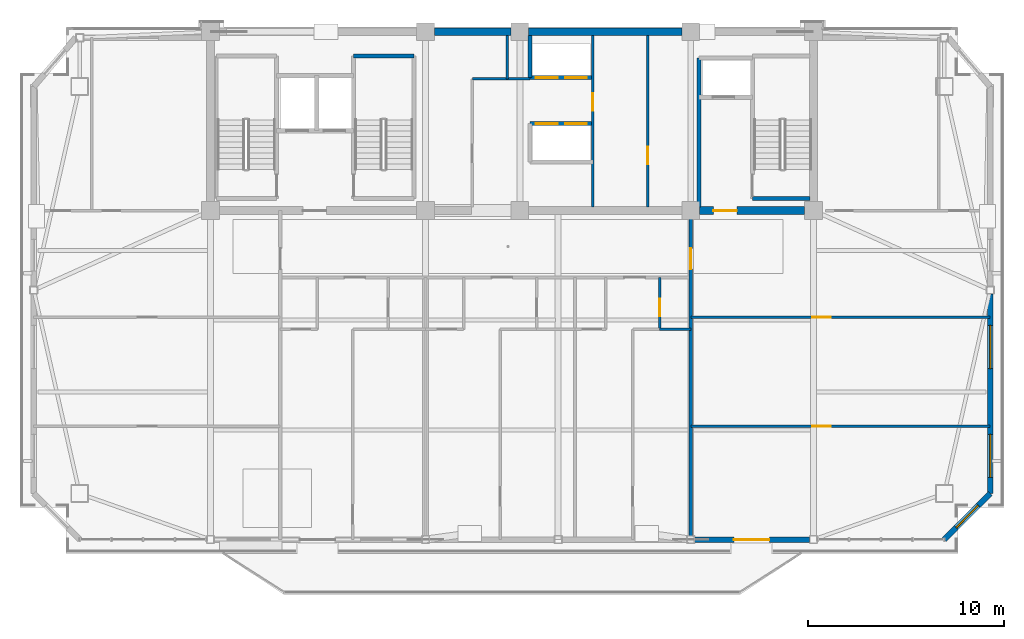
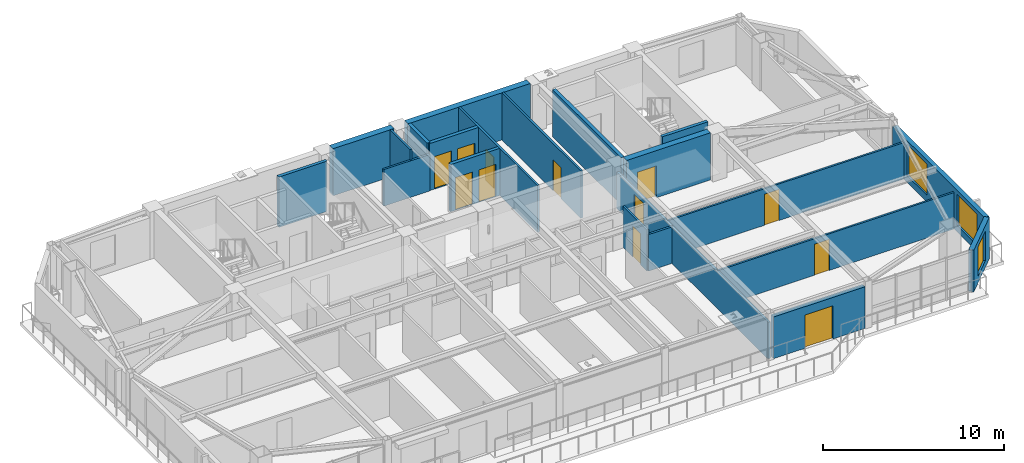
# One storey, part 8 of 14: 21 walls, 12 doors, 3 windows, 15 openings.
"""IFC4 building model written with IfcOpenShell, lengths in metres."""

from ifc_helpers import new_model, si_unit, direction, frame, frame_2d, origin, place, context, subcontext, project, spatial, rectangle, extrude, source, transform, mapped, material, layer, layer_set, type_object, element, fill, save


model = new_model("IFC4")

# Units and contexts
model_context = context("Model", 3, precision=1e-05, world=origin(), true_north=direction((0.0, 1.0)))
body_context = subcontext(model_context, "Body", "Model", "MODEL_VIEW")
ifc_project = project(units=[si_unit("LENGTHUNIT", "METRE"), si_unit("AREAUNIT", "SQUARE_METRE"), si_unit("VOLUMEUNIT", "CUBIC_METRE"), si_unit("PLANEANGLEUNIT", "RADIAN"), si_unit("MASSUNIT", "GRAM", prefix="KILO")], contexts=[model_context])

# Site, building, storey
site_placement = place(None, origin())
site = spatial("IfcSite", under=ifc_project, at=site_placement, CompositionType="ELEMENT")
building_placement = place(site_placement, origin())
building = spatial("IfcBuilding", under=site, at=building_placement, Name="Giltprow Tower", CompositionType="ELEMENT")
storey_placement = place(building_placement, frame((0.0, 0.0, 314.199951171875)))
storey = spatial("IfcBuildingStorey", under=building, at=storey_placement, Name="L81", CompositionType="ELEMENT", Elevation=314.199951171875)

# Wall, opening, window
ifc_material_1 = material(Name="Precast concrete C40", Category="concrete")
ifc_layer_1 = layer(ifc_material_1, 0.300048828125, Name="Precast concrete C40")
ifc_layer_set_1 = layer_set([ifc_layer_1], Name="Precast concrete C40")
wall_type_1 = type_object("IfcWallType", Name="EW-NOTCH-CHAMFER-300", PredefinedType="SOLIDWALL", material=ifc_layer_set_1)
wall_1_placement = place(storey_placement, frame((57.2080078125, 20.7041015625, 0.0), z_axis=(0.0, 0.0, 1.0), x_axis=(0.707106781187, 0.707106781187, 0.0)))
wall_1 = element("IfcWall", 1, at=wall_1_placement, inside=storey, type_object=wall_type_1, Name="L81 Corner Notch Wall SE", PredefinedType="SOLIDWALL", context=body_context, shape_type="SweptSolid", body=[
    extrude(rectangle(XDim=3.306396484375, YDim=0.300048828125, at=frame_2d((1.6533203125, 0.0))), origin(), (0.0, 0.0, 1.0), 2.81494140625),
])
opening_1_placement = place(wall_1_placement, frame((0.85302734375, 0.0, 0.449951171875)))
opening_1 = element("IfcOpeningElement", 2, at=opening_1_placement, cuts=wall_1, Name="Opening WN17", PredefinedType="OPENING", context=body_context, shape_type="SweptSolid", body=[
    extrude(rectangle(XDim=1.60009765625, YDim=2.0, at=frame_2d((0.800048828125, 1.0))), frame((0.0, 0.159912109375, 0.0), z_axis=(0.0, -1.0, 0.0), x_axis=(1.0, 0.0, 0.0)), (0.0, 0.0, 1.0), 0.320068359375),
])
ifc_material_2 = material(Name="Insulated glass", Category="glass")
window_type_1 = type_object("IfcWindowType", Name="WN-COR-1600x2000", PartitioningType="SINGLE_PANEL", PredefinedType="WINDOW", material=ifc_material_2)
shared_shape_1 = source(origin(), body_context, "Body", "SweptSolid", [
    extrude(rectangle(XDim=1.60009765625, YDim=2.0, at=frame_2d((0.800048828125, 1.0))), frame((0.0, 0.030029296875, 0.0), z_axis=(0.0, -1.0, 0.0), x_axis=(1.0, 0.0, 0.0)), (0.0, 0.0, 1.0), 0.06005859375),
])
window_1_placement = place(opening_1_placement, origin())
window_1 = element("IfcWindow", 3, at=window_1_placement, inside=storey, type_object=window_type_1, Name="L81 Corner Notch Window SE", OverallHeight=2.0, OverallWidth=1.60009765625, PartitioningType="SINGLE_PANEL", PredefinedType="WINDOW", context=body_context, shape_type="MappedRepresentation", body=[
    mapped(shared_shape_1, transform((0.0, 0.0, 0.0), x_axis=(1.0, 0.0, 0.0), y_axis=(0.0, 1.0, 0.0), z_axis=(0.0, 0.0, 1.0), scale=1.0)),
])
fill(opening_1, window_1)

# Wall, opening, door
ifc_layer_2 = layer(ifc_material_1, 0.280029296875, Name="Precast concrete C40")
ifc_layer_set_2 = layer_set([ifc_layer_2], Name="Precast concrete C40")
wall_type_2 = type_object("IfcWallType", Name="EW-TOW-BRONZE-280", PredefinedType="SOLIDWALL", material=ifc_layer_set_2)
wall_2_placement = place(storey_placement, frame((44.5, 20.7041015625, 0.0), z_axis=(0.0, 0.0, 1.0), x_axis=(1.0, 0.0, 0.0)))
wall_2 = element("IfcWall", 4, at=wall_2_placement, inside=storey, type_object=wall_type_2, Name="L81 South Expressed Frame Wall 5", PredefinedType="SOLIDWALL", context=body_context, shape_type="SweptSolid", body=[
    extrude(rectangle(XDim=5.85009765625, YDim=0.280029296875, at=frame_2d((2.925048828125, 0.0))), origin(), (0.0, 0.0, 1.0), 2.81494140625),
])
opening_2_placement = place(wall_2_placement, frame((2.0, 0.0, 0.0)))
opening_2 = element("IfcOpeningElement", 5, at=opening_2_placement, cuts=wall_2, Name="Opening ED25", PredefinedType="OPENING", context=body_context, shape_type="SweptSolid", body=[
    extrude(rectangle(XDim=1.800048828125, YDim=2.25, at=frame_2d((0.89990234375, 1.125))), frame((0.0, 0.14990234375, 0.0), z_axis=(0.0, -1.0, 0.0), x_axis=(1.0, 0.0, 0.0)), (0.0, 0.0, 1.0), 0.300048828125),
])
ifc_material_3 = material(Name="Anodized bronze and glass", Category="glass")
door_type_1 = type_object("IfcDoorType", Name="DR-BALC-SLIDE-1800", OperationType="SLIDING_TO_LEFT", PredefinedType="DOOR", material=ifc_material_3)
shared_shape_2 = source(origin(), body_context, "Body", "SweptSolid", [
    extrude(rectangle(XDim=1.800048828125, YDim=2.25, at=frame_2d((0.89990234375, 1.125))), frame((0.0, 0.02490234375, 0.0), z_axis=(0.0, -1.0, 0.0), x_axis=(1.0, 0.0, 0.0)), (0.0, 0.0, 1.0), 0.050048828125),
])
door_1_placement = place(opening_2_placement, origin())
door_1 = element("IfcDoor", 6, at=door_1_placement, inside=storey, type_object=door_type_1, Name="L81 Waterfront Balcony Sliding Door 2", OperationType="SLIDING_TO_LEFT", OverallHeight=2.25, OverallWidth=1.800048828125, PredefinedType="DOOR", context=body_context, shape_type="MappedRepresentation", body=[
    mapped(shared_shape_2, transform((0.0, 0.0, 0.0), x_axis=(1.0, 0.0, 0.0), y_axis=(0.0, 1.0, 0.0), z_axis=(0.0, 0.0, 1.0), scale=1.0)),
])
fill(opening_2, door_1)

# Wall, openings, windows
wall_3_placement = place(storey_placement, frame((59.5458984375, 23.0419921875, 0.0), z_axis=(0.0, 0.0, 1.0), x_axis=(0.0, 1.0, 0.0)))
wall_3 = element("IfcWall", 7, at=wall_3_placement, inside=storey, type_object=wall_type_2, Name="L81 E Wing Masonry Wall 1", PredefinedType="SOLIDWALL", context=body_context, shape_type="SweptSolid", body=[
    extrude(rectangle(XDim=10.159912109375, YDim=0.280029296875, at=frame_2d((5.080078125, 0.0))), origin(), (0.0, 0.0, 1.0), 2.81494140625),
])
opening_3_placement = place(wall_3_placement, frame((0.820068359375, 0.0, 0.449951171875)))
opening_3 = element("IfcOpeningElement", 8, at=opening_3_placement, cuts=wall_3, Name="Opening WN27", PredefinedType="OPENING", context=body_context, shape_type="SweptSolid", body=[
    extrude(rectangle(XDim=2.199951171875, YDim=2.10009765625, at=frame_2d((1.10009765625, 1.050048828125))), frame((0.0, 0.14990234375, 0.0), z_axis=(0.0, -1.0, 0.0), x_axis=(1.0, 0.0, 0.0)), (0.0, 0.0, 1.0), 0.300048828125),
])
opening_4_placement = place(wall_3_placement, frame((6.362060546875, 0.0, 0.449951171875)))
opening_4 = element("IfcOpeningElement", 9, at=opening_4_placement, cuts=wall_3, Name="Opening WN27", PredefinedType="OPENING", context=body_context, shape_type="SweptSolid", body=[
    extrude(rectangle(XDim=2.199951171875, YDim=2.10009765625, at=frame_2d((1.10009765625, 1.050048828125))), frame((0.0, 0.14990234375, 0.0), z_axis=(0.0, -1.0, 0.0), x_axis=(1.0, 0.0, 0.0)), (0.0, 0.0, 1.0), 0.300048828125),
])
window_type_2 = type_object("IfcWindowType", Name="WN-RES-2200x2100", PartitioningType="TRIPLE_PANEL_VERTICAL", PredefinedType="WINDOW", material=ifc_material_2)
shared_shape_3 = source(origin(), body_context, "Body", "SweptSolid", [
    extrude(rectangle(XDim=2.199951171875, YDim=2.10009765625, at=frame_2d((1.10009765625, 1.050048828125))), frame((0.0, 0.030029296875, 0.0), z_axis=(0.0, -1.0, 0.0), x_axis=(1.0, 0.0, 0.0)), (0.0, 0.0, 1.0), 0.06005859375),
])
window_2_placement = place(opening_3_placement, origin())
window_2 = element("IfcWindow", 10, at=window_2_placement, inside=storey, type_object=window_type_2, Name="L81 E Wing Window 1-1A", OverallHeight=2.10009765625, OverallWidth=2.199951171875, PartitioningType="SINGLE_PANEL", PredefinedType="WINDOW", context=body_context, shape_type="MappedRepresentation", body=[
    mapped(shared_shape_3, transform((0.0, 0.0, 0.0), x_axis=(1.0, 0.0, 0.0), y_axis=(0.0, 1.0, 0.0), z_axis=(0.0, 0.0, 1.0), scale=1.0)),
])
fill(opening_3, window_2)
window_3_placement = place(opening_4_placement, origin())
window_3 = element("IfcWindow", 11, at=window_3_placement, inside=storey, type_object=window_type_2, Name="L81 E Wing Window 1-1B", OverallHeight=2.10009765625, OverallWidth=2.199951171875, PartitioningType="SINGLE_PANEL", PredefinedType="WINDOW", context=body_context, shape_type="MappedRepresentation", body=[
    mapped(shared_shape_3, transform((0.0, 0.0, 0.0), x_axis=(1.0, 0.0, 0.0), y_axis=(0.0, 1.0, 0.0), z_axis=(0.0, 0.0, 1.0), scale=1.0)),
])
fill(opening_4, window_3)

# Wall, opening, door
ifc_material_4 = material(Name="Gypsum stud partition", Category="gypsum")
ifc_layer_3 = layer(ifc_material_4, 0.159912109375, Name="Gypsum stud partition")
ifc_layer_set_3 = layer_set([ifc_layer_3], Name="Gypsum stud partition")
wall_type_3 = type_object("IfcWallType", Name="IW-DEMISE-160", PredefinedType="PARTITIONING", material=ifc_layer_set_3)
wall_4_placement = place(storey_placement, frame((44.300048828125, 20.7041015625, 0.0), z_axis=(0.0, 0.0, 1.0), x_axis=(0.0, 1.0, 0.0)))
wall_4 = element("IfcWall", 12, at=wall_4_placement, inside=storey, type_object=wall_type_3, Name="L81 Apartment Party Wall 4", PredefinedType="PARTITIONING", context=body_context, shape_type="SweptSolid", body=[
    extrude(rectangle(XDim=16.745849609375, YDim=0.159912109375, at=frame_2d((8.373046875, 0.0))), origin(), (0.0, 0.0, 1.0), 2.469970703125),
])
opening_5_placement = place(wall_4_placement, frame((13.76611328125, 0.0, 0.0)))
opening_5 = element("IfcOpeningElement", 13, at=opening_5_placement, cuts=wall_4, Name="Opening ID31", PredefinedType="OPENING", context=body_context, shape_type="SweptSolid", body=[
    extrude(rectangle(XDim=1.050048828125, YDim=2.14990234375, at=frame_2d((0.52490234375, 1.074951171875))), frame((0.0, 0.08984375, 0.0), z_axis=(0.0, -1.0, 0.0), x_axis=(1.0, 0.0, 0.0)), (0.0, 0.0, 1.0), 0.179931640625),
])
ifc_material_5 = material(Name="Engineered timber", Category="wood")
door_type_2 = type_object("IfcDoorType", Name="DR-SUITE-1050", OperationType="SINGLE_SWING_LEFT", PredefinedType="DOOR", material=ifc_material_5)
shared_shape_4 = source(origin(), body_context, "Body", "SweptSolid", [
    extrude(rectangle(XDim=1.050048828125, YDim=2.14990234375, at=frame_2d((0.52490234375, 1.074951171875))), frame((0.0, 0.02490234375, 0.0), z_axis=(0.0, -1.0, 0.0), x_axis=(1.0, 0.0, 0.0)), (0.0, 0.0, 1.0), 0.050048828125),
])
door_2_placement = place(opening_5_placement, origin())
door_2 = element("IfcDoor", 14, at=door_2_placement, inside=storey, type_object=door_type_2, Name="L81 Silverware Vault Reading Lounge Corridor End Door", OperationType="SINGLE_SWING_LEFT", OverallHeight=2.14990234375, OverallWidth=1.050048828125, PredefinedType="DOOR", context=body_context, shape_type="MappedRepresentation", body=[
    mapped(shared_shape_4, transform((0.0, 0.0, 0.0), x_axis=(1.0, 0.0, 0.0), y_axis=(0.0, 1.0, 0.0), z_axis=(0.0, 0.0, 1.0), scale=1.0)),
])
fill(opening_5, door_2)

ifc_layer_4 = layer(ifc_material_4, 0.1201171875, Name="Gypsum stud partition")
ifc_layer_set_4 = layer_set([ifc_layer_4], Name="Gypsum stud partition")
wall_type_4 = type_object("IfcWallType", Name="IW-ROOM-120", PredefinedType="PARTITIONING", material=ifc_layer_set_4)
wall_5_placement = place(storey_placement, frame((44.300048828125, 26.4619140625, 0.0), z_axis=(0.0, 0.0, 1.0), x_axis=(1.0, 0.0, 0.0)))
wall_5 = element("IfcWall", 15, at=wall_5_placement, inside=storey, type_object=wall_type_4, Name="L81 Special Split 1", PredefinedType="PARTITIONING", context=body_context, shape_type="SweptSolid", body=[
    extrude(rectangle(XDim=15.245849609375, YDim=0.1201171875, at=frame_2d((7.623046875, 0.0))), origin(), (0.0, 0.0, 1.0), 2.469970703125),
])
opening_6_placement = place(wall_5_placement, frame((6.18408203125, 0.0, 0.0)))
opening_6 = element("IfcOpeningElement", 16, at=opening_6_placement, cuts=wall_5, Name="Opening ID11", PredefinedType="OPENING", context=body_context, shape_type="SweptSolid", body=[
    extrude(rectangle(XDim=0.949951171875, YDim=2.10009765625, at=frame_2d((0.47509765625, 1.050048828125))), frame((0.0, 0.070068359375, 0.0), z_axis=(0.0, -1.0, 0.0), x_axis=(1.0, 0.0, 0.0)), (0.0, 0.0, 1.0), 0.14013671875),
])
door_type_3 = type_object("IfcDoorType", Name="DR-ROOM-950", OperationType="SINGLE_SWING_RIGHT", PredefinedType="DOOR", material=ifc_material_5)
shared_shape_5 = source(origin(), body_context, "Body", "SweptSolid", [
    extrude(rectangle(XDim=0.949951171875, YDim=2.10009765625, at=frame_2d((0.47509765625, 1.050048828125))), frame((0.0, 0.02490234375, 0.0), z_axis=(0.0, -1.0, 0.0), x_axis=(1.0, 0.0, 0.0)), (0.0, 0.0, 1.0), 0.050048828125),
])
door_3_placement = place(opening_6_placement, origin())
door_3 = element("IfcDoor", 17, at=door_3_placement, inside=storey, type_object=door_type_3, Name="L81 Silverware Vault Reading Lounge South Door", OperationType="SINGLE_SWING_LEFT", OverallHeight=2.10009765625, OverallWidth=0.949951171875, PredefinedType="DOOR", context=body_context, shape_type="MappedRepresentation", body=[
    mapped(shared_shape_5, transform((0.0, 0.0, 0.0), x_axis=(1.0, 0.0, 0.0), y_axis=(0.0, 1.0, 0.0), z_axis=(0.0, 0.0, 1.0), scale=1.0)),
])
fill(opening_6, door_3)

wall_6_placement = place(storey_placement, frame((44.300048828125, 32.01904296875, 0.0), z_axis=(0.0, 0.0, 1.0), x_axis=(1.0, 0.0, 0.0)))
wall_6 = element("IfcWall", 18, at=wall_6_placement, inside=storey, type_object=wall_type_4, Name="L81 Special Split 2", PredefinedType="PARTITIONING", context=body_context, shape_type="SweptSolid", body=[
    extrude(rectangle(XDim=15.245849609375, YDim=0.1201171875, at=frame_2d((7.623046875, 0.0))), origin(), (0.0, 0.0, 1.0), 2.469970703125),
])
opening_7_placement = place(wall_6_placement, frame((6.18408203125, 0.0, 0.0)))
opening_7 = element("IfcOpeningElement", 19, at=opening_7_placement, cuts=wall_6, Name="Opening ID11", PredefinedType="OPENING", context=body_context, shape_type="SweptSolid", body=[
    extrude(rectangle(XDim=0.949951171875, YDim=2.10009765625, at=frame_2d((0.47509765625, 1.050048828125))), frame((0.0, 0.070068359375, 0.0), z_axis=(0.0, -1.0, 0.0), x_axis=(1.0, 0.0, 0.0)), (0.0, 0.0, 1.0), 0.14013671875),
])
door_4_placement = place(opening_7_placement, origin())
door_4 = element("IfcDoor", 20, at=door_4_placement, inside=storey, type_object=door_type_3, Name="L81 Silverware Vault Reading Lounge Mid Door", OperationType="SINGLE_SWING_RIGHT", OverallHeight=2.10009765625, OverallWidth=0.949951171875, PredefinedType="DOOR", context=body_context, shape_type="MappedRepresentation", body=[
    mapped(shared_shape_5, transform((0.0, 0.0, 0.0), x_axis=(1.0, 0.0, 0.0), y_axis=(0.0, 1.0, 0.0), z_axis=(0.0, 0.0, 1.0), scale=1.0)),
])
fill(opening_7, door_4)

# Wall
ifc_material_6 = material(Name="Concrete C40", Category="concrete")
ifc_layer_5 = layer(ifc_material_6, 0.219970703125, Name="Concrete C40")
ifc_layer_set_5 = layer_set([ifc_layer_5], Name="Concrete C40")
wall_type_5 = type_object("IfcWallType", Name="IW-SHAFT-220", PredefinedType="SOLIDWALL", material=ifc_layer_set_5)
wall_7_placement = place(storey_placement, frame((44.719970703125, 37.6298828125, 0.0), z_axis=(0.0, 0.0, 1.0), x_axis=(0.0, 1.0, 0.0)))
element("IfcWall", 21, at=wall_7_placement, inside=storey, type_object=wall_type_5, Name="L81 East Firefighting Lobby West Wall", PredefinedType="SOLIDWALL", context=body_context, shape_type="SweptSolid", body=[
    extrude(rectangle(XDim=7.590087890625, YDim=0.219970703125, at=frame_2d((3.794921875, 0.0))), origin(), (0.0, 0.0, 1.0), 3.18505859375),
])

# Wall, openings, doors
wall_8_placement = place(storey_placement, frame((36.1201171875, 44.219970703125, 0.0), z_axis=(0.0, 0.0, 1.0), x_axis=(1.0, 0.0, 0.0)))
wall_8 = element("IfcWall", 22, at=wall_8_placement, inside=storey, type_object=wall_type_5, Name="L81 High-Rise Lift Shaft Front Wall N", PredefinedType="SOLIDWALL", context=body_context, shape_type="SweptSolid", body=[
    extrude(rectangle(XDim=3.199951171875, YDim=0.219970703125, at=frame_2d((1.60009765625, 0.0))), origin(), (0.0, 0.0, 1.0), 3.18505859375),
])
opening_8_placement = place(wall_8_placement, frame((0.300048828125, 0.0, 0.0)))
opening_8 = element("IfcOpeningElement", 23, at=opening_8_placement, cuts=wall_8, Name="Opening LD-11", PredefinedType="OPENING", context=body_context, shape_type="SweptSolid", body=[
    extrude(rectangle(XDim=1.10009765625, YDim=2.199951171875, at=frame_2d((0.550048828125, 1.10009765625))), frame((0.0, 0.119873046875, 0.0), z_axis=(0.0, -1.0, 0.0), x_axis=(1.0, 0.0, 0.0)), (0.0, 0.0, 1.0), 0.239990234375),
])
opening_9_placement = place(wall_8_placement, frame((1.7900390625, 0.0, 0.0)))
opening_9 = element("IfcOpeningElement", 24, at=opening_9_placement, cuts=wall_8, Name="Opening LD-11", PredefinedType="OPENING", context=body_context, shape_type="SweptSolid", body=[
    extrude(rectangle(XDim=1.10009765625, YDim=2.199951171875, at=frame_2d((0.550048828125, 1.10009765625))), frame((0.0, 0.119873046875, 0.0), z_axis=(0.0, -1.0, 0.0), x_axis=(1.0, 0.0, 0.0)), (0.0, 0.0, 1.0), 0.239990234375),
])
ifc_material_7 = material(Name="Stainless steel", Category="steel")
door_type_4 = type_object("IfcDoorType", Name="DR-LIFT-LD1100", OperationType="SLIDING_TO_LEFT", PredefinedType="DOOR", material=ifc_material_7)
shared_shape_6 = source(origin(), body_context, "Body", "SweptSolid", [
    extrude(rectangle(XDim=1.10009765625, YDim=2.199951171875, at=frame_2d((0.550048828125, 1.10009765625))), frame((0.0, 0.02490234375, 0.0), z_axis=(0.0, -1.0, 0.0), x_axis=(1.0, 0.0, 0.0)), (0.0, 0.0, 1.0), 0.050048828125),
])
door_5_placement = place(opening_8_placement, origin())
door_5 = element("IfcDoor", 25, at=door_5_placement, inside=storey, type_object=door_type_4, Name="L81 PL-H1 Landing Door", OperationType="SLIDING_TO_LEFT", OverallHeight=2.199951171875, OverallWidth=1.10009765625, PredefinedType="DOOR", context=body_context, shape_type="MappedRepresentation", body=[
    mapped(shared_shape_6, transform((0.0, 0.0, 0.0), x_axis=(1.0, 0.0, 0.0), y_axis=(0.0, 1.0, 0.0), z_axis=(0.0, 0.0, 1.0), scale=1.0)),
])
fill(opening_8, door_5)
door_6_placement = place(opening_9_placement, origin())
door_6 = element("IfcDoor", 26, at=door_6_placement, inside=storey, type_object=door_type_4, Name="L81 PL-H2 Landing Door", OperationType="SLIDING_TO_LEFT", OverallHeight=2.199951171875, OverallWidth=1.10009765625, PredefinedType="DOOR", context=body_context, shape_type="MappedRepresentation", body=[
    mapped(shared_shape_6, transform((0.0, 0.0, 0.0), x_axis=(1.0, 0.0, 0.0), y_axis=(0.0, 1.0, 0.0), z_axis=(0.0, 0.0, 1.0), scale=1.0)),
])
fill(opening_9, door_6)

wall_9_placement = place(storey_placement, frame((36.1201171875, 41.8798828125, 0.0), z_axis=(0.0, 0.0, 1.0), x_axis=(1.0, 0.0, 0.0)))
wall_9 = element("IfcWall", 27, at=wall_9_placement, inside=storey, type_object=wall_type_5, Name="L81 High-Rise Lift Shaft Front Wall S", PredefinedType="SOLIDWALL", context=body_context, shape_type="SweptSolid", body=[
    extrude(rectangle(XDim=3.199951171875, YDim=0.219970703125, at=frame_2d((1.60009765625, 0.0))), origin(), (0.0, 0.0, 1.0), 3.18505859375),
])
opening_10_placement = place(wall_9_placement, frame((0.300048828125, 0.0, 0.0)))
opening_10 = element("IfcOpeningElement", 28, at=opening_10_placement, cuts=wall_9, Name="Opening LD-11", PredefinedType="OPENING", context=body_context, shape_type="SweptSolid", body=[
    extrude(rectangle(XDim=1.10009765625, YDim=2.199951171875, at=frame_2d((0.550048828125, 1.10009765625))), frame((0.0, 0.119873046875, 0.0), z_axis=(0.0, -1.0, 0.0), x_axis=(1.0, 0.0, 0.0)), (0.0, 0.0, 1.0), 0.239990234375),
])
opening_11_placement = place(wall_9_placement, frame((1.7900390625, 0.0, 0.0)))
opening_11 = element("IfcOpeningElement", 29, at=opening_11_placement, cuts=wall_9, Name="Opening LD-11", PredefinedType="OPENING", context=body_context, shape_type="SweptSolid", body=[
    extrude(rectangle(XDim=1.10009765625, YDim=2.199951171875, at=frame_2d((0.550048828125, 1.10009765625))), frame((0.0, 0.119873046875, 0.0), z_axis=(0.0, -1.0, 0.0), x_axis=(1.0, 0.0, 0.0)), (0.0, 0.0, 1.0), 0.239990234375),
])
door_7_placement = place(opening_10_placement, origin())
door_7 = element("IfcDoor", 30, at=door_7_placement, inside=storey, type_object=door_type_4, Name="L81 PL-H3 Landing Door", OperationType="SLIDING_TO_LEFT", OverallHeight=2.199951171875, OverallWidth=1.10009765625, PredefinedType="DOOR", context=body_context, shape_type="MappedRepresentation", body=[
    mapped(shared_shape_6, transform((0.0, 0.0, 0.0), x_axis=(1.0, 0.0, 0.0), y_axis=(0.0, 1.0, 0.0), z_axis=(0.0, 0.0, 1.0), scale=1.0)),
])
fill(opening_10, door_7)
door_8_placement = place(opening_11_placement, origin())
door_8 = element("IfcDoor", 31, at=door_8_placement, inside=storey, type_object=door_type_4, Name="L81 PL-H4 Landing Door", OperationType="SLIDING_TO_LEFT", OverallHeight=2.199951171875, OverallWidth=1.10009765625, PredefinedType="DOOR", context=body_context, shape_type="MappedRepresentation", body=[
    mapped(shared_shape_6, transform((0.0, 0.0, 0.0), x_axis=(1.0, 0.0, 0.0), y_axis=(0.0, 1.0, 0.0), z_axis=(0.0, 0.0, 1.0), scale=1.0)),
])
fill(opening_11, door_8)

# Walls
wall_10_placement = place(storey_placement, frame((36.1201171875, 44.219970703125, 0.0), z_axis=(0.0, 0.0, 1.0), x_axis=(0.0, 1.0, 0.0)))
element("IfcWall", 32, at=wall_10_placement, inside=storey, type_object=wall_type_5, Name="L81 High-Rise North Lift West Closure", PredefinedType="SOLIDWALL", context=body_context, shape_type="SweptSolid", body=[
    extrude(rectangle(XDim=2.150146484375, YDim=0.219970703125, at=frame_2d((1.0751953125, 0.0))), origin(), (0.0, 0.0, 1.0), 3.18505859375),
])
ifc_layer_6 = layer(ifc_material_6, 0.199951171875, Name="Concrete C40")
ifc_layer_set_6 = layer_set([ifc_layer_6], Name="Concrete C40")
wall_type_6 = type_object("IfcWallType", Name="IW-STAIR-200", PredefinedType="SOLIDWALL", material=ifc_layer_set_6)
wall_11_placement = place(storey_placement, frame((27.139892578125, 45.320068359375, 0.0), z_axis=(0.0, 0.0, 1.0), x_axis=(1.0, 0.0, 0.0)))
element("IfcWall", 33, at=wall_11_placement, inside=storey, type_object=wall_type_6, Name="L81 Stair ST-2 North Bearing Wall", PredefinedType="SOLIDWALL", context=body_context, shape_type="SweptSolid", body=[
    extrude(rectangle(XDim=3.080078125, YDim=0.199951171875, at=frame_2d((1.5400390625, 0.0))), origin(), (0.0, 0.0, 1.0), 3.400146484375),
])
wall_12_placement = place(storey_placement, frame((47.43994140625, 38.070068359375, 0.0), z_axis=(0.0, 0.0, 1.0), x_axis=(1.0, 0.0, 0.0)))
element("IfcWall", 34, at=wall_12_placement, inside=storey, type_object=wall_type_6, Name="L81 Stair ST-3 South Bearing Wall", PredefinedType="SOLIDWALL", context=body_context, shape_type="SweptSolid", body=[
    extrude(rectangle(XDim=2.93017578125, YDim=0.199951171875, at=frame_2d((1.465087890625, 0.0))), origin(), (0.0, 0.0, 1.0), 3.400146484375),
])
ifc_material_8 = material(Name="Concrete C30", Category="concrete")
ifc_layer_7 = layer(ifc_material_8, 0.1298828125, Name="Concrete C30")
ifc_layer_set_7 = layer_set([ifc_layer_7], Name="Concrete C30")
wall_type_7 = type_object("IfcWallType", Name="IW-WET-130", PredefinedType="PARTITIONING", material=ifc_layer_set_7)
wall_13_placement = place(storey_placement, frame((34.949951171875, 44.14990234375, 0.0), z_axis=(0.0, 0.0, 1.0), x_axis=(0.0, 1.0, 0.0)))
element("IfcWall", 35, at=wall_13_placement, inside=storey, type_object=wall_type_7, Name="L81 Reclaimed West Pocket Wall E", PredefinedType="PARTITIONING", context=body_context, shape_type="SweptSolid", body=[
    extrude(rectangle(XDim=2.22021484375, YDim=0.1298828125, at=frame_2d((1.110107421875, 0.0))), origin(), (0.0, 0.0, 1.0), 3.18505859375),
])
wall_14_placement = place(storey_placement, frame((33.179931640625, 44.14990234375, 0.0), z_axis=(0.0, 0.0, 1.0), x_axis=(1.0, 0.0, 0.0)))
element("IfcWall", 36, at=wall_14_placement, inside=storey, type_object=wall_type_7, Name="L81 Reclaimed West Pocket Wall S", PredefinedType="PARTITIONING", context=body_context, shape_type="SweptSolid", body=[
    extrude(rectangle(XDim=2.940185546875, YDim=0.1298828125, at=frame_2d((1.47021484375, 0.0))), origin(), (0.0, 0.0, 1.0), 2.469970703125),
])

# Wall, opening, door
wall_15_placement = place(storey_placement, frame((39.320068359375, 37.6298828125, 0.0), z_axis=(0.0, 0.0, 1.0), x_axis=(0.0, 1.0, 0.0)))
wall_15 = element("IfcWall", 37, at=wall_15_placement, inside=storey, type_object=wall_type_7, Name="L81 Reclaimed East Core Wall", PredefinedType="PARTITIONING", context=body_context, shape_type="SweptSolid", body=[
    extrude(rectangle(XDim=8.740234375, YDim=0.1298828125, at=frame_2d((4.3701171875, 0.0))), origin(), (0.0, 0.0, 1.0), 3.18505859375),
])
opening_12_placement = place(wall_15_placement, frame((4.889892578125, 0.0, 0.0)))
opening_12 = element("IfcOpeningElement", 38, at=opening_12_placement, cuts=wall_15, Name="Opening ID35", PredefinedType="OPENING", context=body_context, shape_type="SweptSolid", body=[
    extrude(rectangle(XDim=0.89990234375, YDim=2.10009765625, at=frame_2d((0.449951171875, 1.050048828125))), frame((0.0, 0.074951171875, 0.0), z_axis=(0.0, -1.0, 0.0), x_axis=(1.0, 0.0, 0.0)), (0.0, 0.0, 1.0), 0.14990234375),
])
ifc_material_9 = material(Name="Steel fire leaf", Category="steel")
door_type_5 = type_object("IfcDoorType", Name="DR-SHAFT-900", OperationType="SINGLE_SWING_LEFT", PredefinedType="DOOR", material=ifc_material_9)
shared_shape_7 = source(origin(), body_context, "Body", "SweptSolid", [
    extrude(rectangle(XDim=0.89990234375, YDim=2.10009765625, at=frame_2d((0.449951171875, 1.050048828125))), frame((0.0, 0.02490234375, 0.0), z_axis=(0.0, -1.0, 0.0), x_axis=(1.0, 0.0, 0.0)), (0.0, 0.0, 1.0), 0.050048828125),
])
door_9_placement = place(opening_12_placement, origin())
door_9 = element("IfcDoor", 39, at=door_9_placement, inside=storey, type_object=door_type_5, Name="L81 Core Laundry Room Door", OperationType="SINGLE_SWING_RIGHT", OverallHeight=2.10009765625, OverallWidth=0.89990234375, PredefinedType="DOOR", context=body_context, shape_type="MappedRepresentation", body=[
    mapped(shared_shape_7, transform((0.0, 0.0, 0.0), x_axis=(1.0, 0.0, 0.0), y_axis=(0.0, 1.0, 0.0), z_axis=(0.0, 0.0, 1.0), scale=1.0)),
])
fill(opening_12, door_9)

wall_16_placement = place(storey_placement, frame((42.10009765625, 37.6298828125, 0.0), z_axis=(0.0, 0.0, 1.0), x_axis=(0.0, 1.0, 0.0)))
wall_16 = element("IfcWall", 40, at=wall_16_placement, inside=storey, type_object=wall_type_7, Name="L81 East Core Vertical Divider", PredefinedType="PARTITIONING", context=body_context, shape_type="SweptSolid", body=[
    extrude(rectangle(XDim=8.740234375, YDim=0.1298828125, at=frame_2d((4.3701171875, 0.0))), origin(), (0.0, 0.0, 1.0), 3.18505859375),
])
opening_13_placement = place(wall_16_placement, frame((2.169921875, 0.0, 0.0)))
opening_13 = element("IfcOpeningElement", 41, at=opening_13_placement, cuts=wall_16, Name="Opening ID35", PredefinedType="OPENING", context=body_context, shape_type="SweptSolid", body=[
    extrude(rectangle(XDim=0.89990234375, YDim=2.10009765625, at=frame_2d((0.449951171875, 1.050048828125))), frame((0.0, 0.074951171875, 0.0), z_axis=(0.0, -1.0, 0.0), x_axis=(1.0, 0.0, 0.0)), (0.0, 0.0, 1.0), 0.14990234375),
])
door_10_placement = place(opening_13_placement, origin())
door_10 = element("IfcDoor", 42, at=door_10_placement, inside=storey, type_object=door_type_5, Name="L81 Core Trunk Room Inner Door", OperationType="SINGLE_SWING_LEFT", OverallHeight=2.10009765625, OverallWidth=0.89990234375, PredefinedType="DOOR", context=body_context, shape_type="MappedRepresentation", body=[
    mapped(shared_shape_7, transform((0.0, 0.0, 0.0), x_axis=(1.0, 0.0, 0.0), y_axis=(0.0, 1.0, 0.0), z_axis=(0.0, 0.0, 1.0), scale=1.0)),
])
fill(opening_13, door_10)

# Wall
wall_17_placement = place(storey_placement, frame((42.719970703125, 31.39990234375, 0.0), z_axis=(0.0, 0.0, 1.0), x_axis=(1.0, 0.0, 0.0)))
element("IfcWall", 43, at=wall_17_placement, inside=storey, type_object=wall_type_7, Name="L81 Unit 3 Bathroom South Wall", PredefinedType="PARTITIONING", context=body_context, shape_type="SweptSolid", body=[
    extrude(rectangle(XDim=1.580078125, YDim=0.1298828125, at=frame_2d((0.7900390625, 0.0))), origin(), (0.0, 0.0, 1.0), 2.469970703125),
])

# Wall, opening, door
wall_18_placement = place(storey_placement, frame((42.719970703125, 31.39990234375, 0.0), z_axis=(0.0, 0.0, 1.0), x_axis=(0.0, 1.0, 0.0)))
wall_18 = element("IfcWall", 44, at=wall_18_placement, inside=storey, type_object=wall_type_7, Name="L81 Unit 3 Bathroom West Wall", PredefinedType="PARTITIONING", context=body_context, shape_type="SweptSolid", body=[
    extrude(rectangle(XDim=2.650146484375, YDim=0.1298828125, at=frame_2d((1.3251953125, 0.0))), origin(), (0.0, 0.0, 1.0), 2.77001953125),
])
opening_14_placement = place(wall_18_placement, frame((0.669921875, 0.0, 0.0)))
opening_14 = element("IfcOpeningElement", 45, at=opening_14_placement, cuts=wall_18, Name="Opening ID15", PredefinedType="OPENING", context=body_context, shape_type="SweptSolid", body=[
    extrude(rectangle(XDim=0.89990234375, YDim=2.10009765625, at=frame_2d((0.449951171875, 1.050048828125))), frame((0.0, 0.074951171875, 0.0), z_axis=(0.0, -1.0, 0.0), x_axis=(1.0, 0.0, 0.0)), (0.0, 0.0, 1.0), 0.14990234375),
])
door_type_6 = type_object("IfcDoorType", Name="DR-WC-900", OperationType="SINGLE_SWING_LEFT", PredefinedType="DOOR", material=ifc_material_5)
door_11_placement = place(opening_14_placement, origin())
door_11 = element("IfcDoor", 46, at=door_11_placement, inside=storey, type_object=door_type_6, Name="L81 Unit 3 Bathroom Door", OperationType="SINGLE_SWING_LEFT", OverallHeight=2.10009765625, OverallWidth=0.89990234375, PredefinedType="DOOR", context=body_context, shape_type="MappedRepresentation", body=[
    mapped(shared_shape_7, transform((0.0, 0.0, 0.0), x_axis=(1.0, 0.0, 0.0), y_axis=(0.0, 1.0, 0.0), z_axis=(0.0, 0.0, 1.0), scale=1.0)),
])
fill(opening_14, door_11)

# Walls
ifc_material_10 = material(Name="Concrete C45", Category="concrete")
ifc_layer_8 = layer(ifc_material_10, 0.39990234375, Name="Concrete C45")
ifc_layer_set_8 = layer_set([ifc_layer_8], Name="Concrete C45")
wall_type_8 = type_object("IfcWallType", Name="SW-EXT-400-C45", PredefinedType="SHEAR", material=ifc_layer_set_8)
wall_19_placement = place(storey_placement, frame((31.25, 46.550048828125, 0.0), z_axis=(0.0, 0.0, 1.0), x_axis=(1.0, 0.0, 0.0)))
element("IfcWall", 47, at=wall_19_placement, inside=storey, type_object=wall_type_8, Name="L81 North Rear Core Shear Wall 2", PredefinedType="SHEAR", context=body_context, shape_type="SweptSolid", body=[
    extrude(rectangle(XDim=3.89990234375, YDim=0.39990234375, at=frame_2d((1.949951171875, 0.0))), origin(), (0.0, 0.0, 1.0), 3.18505859375),
])
wall_20_placement = place(storey_placement, frame((36.050048828125, 46.550048828125, 0.0), z_axis=(0.0, 0.0, 1.0), x_axis=(1.0, 0.0, 0.0)))
element("IfcWall", 48, at=wall_20_placement, inside=storey, type_object=wall_type_8, Name="L81 North Rear Core Shear Wall 3", PredefinedType="SHEAR", context=body_context, shape_type="SweptSolid", body=[
    extrude(rectangle(XDim=7.800048828125, YDim=0.39990234375, at=frame_2d((3.89990234375, 0.0))), origin(), (0.0, 0.0, 1.0), 3.18505859375),
])

# Wall, opening, door
ifc_layer_9 = layer(ifc_material_10, 0.39990234375, Name="Concrete C45")
ifc_layer_set_9 = layer_set([ifc_layer_9], Name="Concrete C45")
wall_type_9 = type_object("IfcWallType", Name="SW-INT-400-C45", PredefinedType="SHEAR", material=ifc_layer_set_9)
wall_21_placement = place(storey_placement, frame((44.75, 37.449951171875, 0.0), z_axis=(0.0, 0.0, 1.0), x_axis=(1.0, 0.0, 0.0)))
wall_21 = element("IfcWall", 49, at=wall_21_placement, inside=storey, type_object=wall_type_9, Name="L81 South Rear Core Shear Wall East", PredefinedType="SHEAR", context=body_context, shape_type="SweptSolid", body=[
    extrude(rectangle(XDim=5.35009765625, YDim=0.39990234375, at=frame_2d((2.675048828125, 0.0))), origin(), (0.0, 0.0, 1.0), 3.18505859375),
])
opening_15_placement = place(wall_21_placement, frame((0.699951171875, 0.0, 0.0)))
opening_15 = element("IfcOpeningElement", 50, at=opening_15_placement, cuts=wall_21, Name="Opening ID19", PredefinedType="OPENING", context=body_context, shape_type="SweptSolid", body=[
    extrude(rectangle(XDim=1.199951171875, YDim=2.14990234375, at=frame_2d((0.60009765625, 1.074951171875))), frame((0.0, 0.2099609375, 0.0), z_axis=(0.0, -1.0, 0.0), x_axis=(1.0, 0.0, 0.0)), (0.0, 0.0, 1.0), 0.419921875),
])
door_type_7 = type_object("IfcDoorType", Name="DR-FFLOBBY-1200", OperationType="SINGLE_SWING_RIGHT", PredefinedType="DOOR", material=ifc_material_9)
shared_shape_8 = source(origin(), body_context, "Body", "SweptSolid", [
    extrude(rectangle(XDim=1.199951171875, YDim=2.14990234375, at=frame_2d((0.60009765625, 1.074951171875))), frame((0.0, 0.02490234375, 0.0), z_axis=(0.0, -1.0, 0.0), x_axis=(1.0, 0.0, 0.0)), (0.0, 0.0, 1.0), 0.050048828125),
])
door_12_placement = place(opening_15_placement, origin())
door_12 = element("IfcDoor", 51, at=door_12_placement, inside=storey, type_object=door_type_7, Name="L81 East Firefighting Lobby Entry Door", OperationType="SINGLE_SWING_RIGHT", OverallHeight=2.14990234375, OverallWidth=1.199951171875, PredefinedType="DOOR", context=body_context, shape_type="MappedRepresentation", body=[
    mapped(shared_shape_8, transform((0.0, 0.0, 0.0), x_axis=(1.0, 0.0, 0.0), y_axis=(0.0, 1.0, 0.0), z_axis=(0.0, 0.0, 1.0), scale=1.0)),
])
fill(opening_15, door_12)

save(model, "model.ifc")
